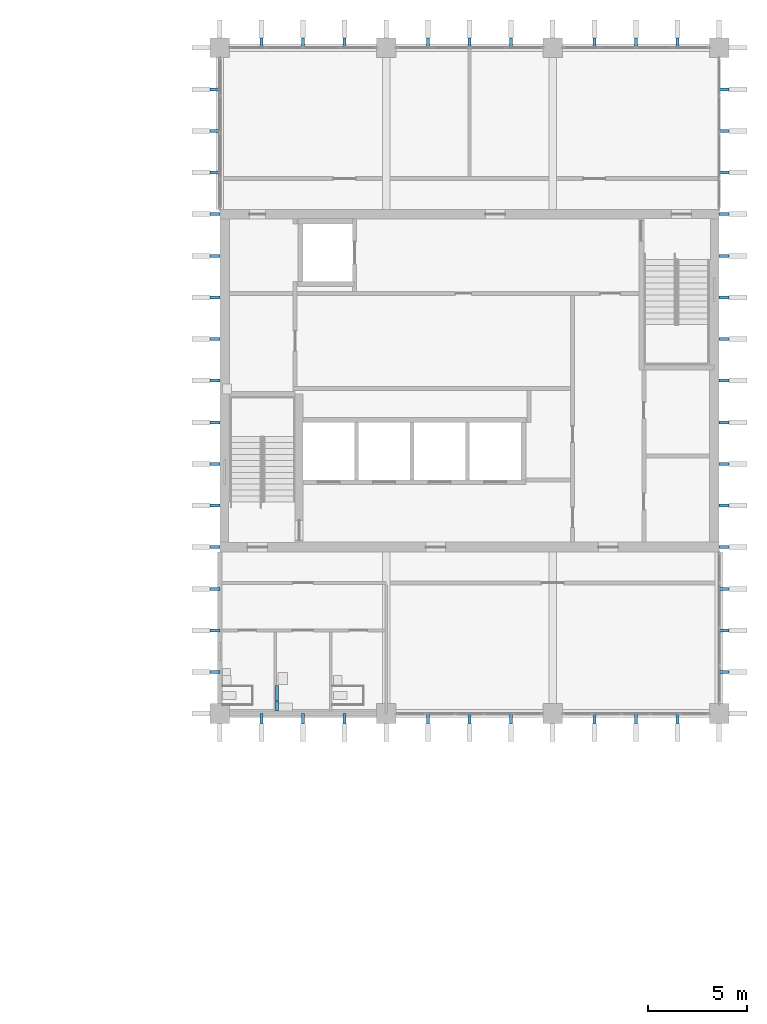
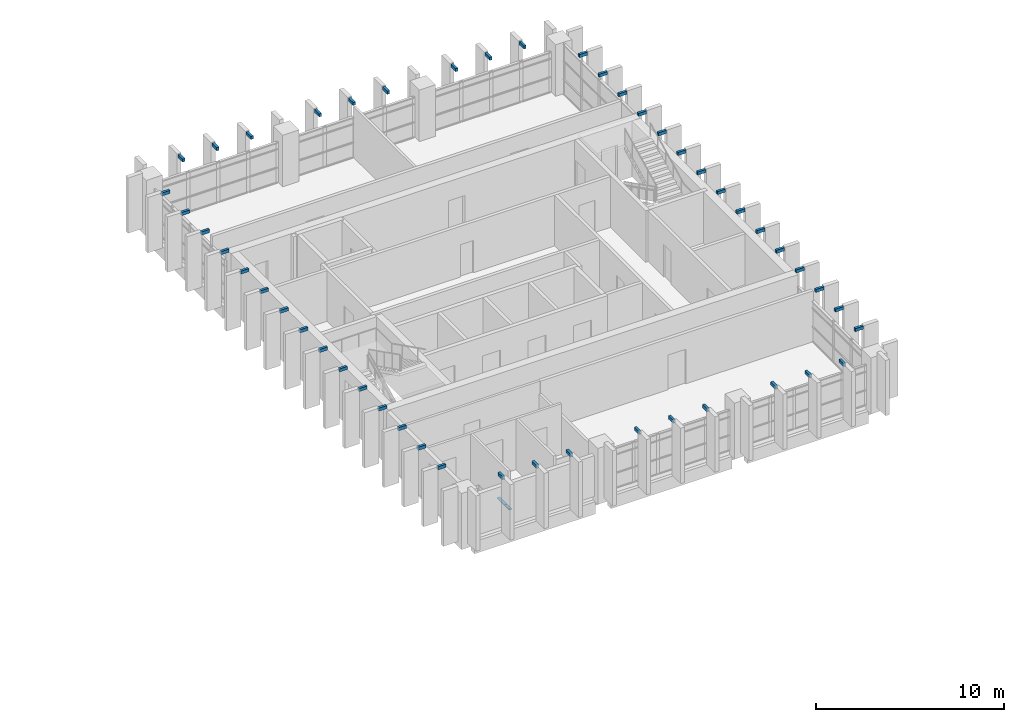
# One storey, part 20 of 24: 50 discrete accessories.
"""IFC4 building model written with IfcOpenShell, lengths in metres."""

from ifc_helpers import new_model, si_unit, direction, frame, origin, origin_2d, place, context, subcontext, project, spatial, rectangle, extrude, material, type_object, element, save


model = new_model("IFC4")

# Units and contexts
model_context = context("Model", 3, precision=1e-05, world=origin(), true_north=direction((0.0, 1.0)))
body_context = subcontext(model_context, "Body", "Model", "MODEL_VIEW")
ifc_project = project(units=[si_unit("LENGTHUNIT", "METRE"), si_unit("AREAUNIT", "SQUARE_METRE"), si_unit("VOLUMEUNIT", "CUBIC_METRE"), si_unit("PLANEANGLEUNIT", "RADIAN"), si_unit("MASSUNIT", "GRAM", prefix="KILO")], contexts=[model_context])

# Site, building, storey
site_placement = place(None, origin())
site = spatial("IfcSite", under=ifc_project, at=site_placement, CompositionType="ELEMENT")
building_placement = place(site_placement, origin())
building = spatial("IfcBuilding", under=site, at=building_placement, Name="Rulbaag Community and Learning Centre", CompositionType="ELEMENT")
storey_placement = place(building_placement, frame((0.0, 0.0, 14.39990234375)))
storey = spatial("IfcBuildingStorey", under=building, at=storey_placement, Name="L03", CompositionType="ELEMENT", Elevation=14.39990234375)

# Discrete accessories
ifc_material_1 = material(Name="Steel E350", Category="steel")
discrete_accessory_type_1 = type_object("IfcDiscreteAccessoryType", Name="BR-FN", PredefinedType="BRACKET", material=ifc_material_1)
for number, where, z_axis, x_axis, name in (
    (1, (144.89990234375, 83.75, 3.35009765625), (0.0, 0.0, 1.0), (1.0, 0.0, 0.0), "Fin arm"),
    (2, (147.0, 83.75, 3.35009765625), (0.0, 0.0, 1.0), (1.0, 0.0, 0.0), "Fin arm"),
    (3, (149.10009765625, 83.75, 3.35009765625), (0.0, 0.0, 1.0), (1.0, 0.0, 0.0), "Fin arm"),
    (4, (153.300048828125, 83.75, 3.35009765625), (0.0, 0.0, 1.0), (1.0, 0.0, 0.0), "Fin arm"),
    (5, (155.39990234375, 83.75, 3.35009765625), (0.0, 0.0, 1.0), (1.0, 0.0, 0.0), "Fin arm"),
    (6, (157.5, 83.75, 3.35009765625), (0.0, 0.0, 1.0), (1.0, 0.0, 0.0), "Fin arm"),
    (7, (161.699951171875, 83.75, 3.35009765625), (0.0, 0.0, 1.0), (1.0, 0.0, 0.0), "Fin arm"),
    (8, (163.800048828125, 83.75, 3.35009765625), (0.0, 0.0, 1.0), (1.0, 0.0, 0.0), "Fin arm"),
    (9, (165.89990234375, 83.75, 3.35009765625), (0.0, 0.0, 1.0), (1.0, 0.0, 0.0), "Fin arm"),
    (10, (144.89990234375, 117.85009765625, 3.35009765625), (0.0, 0.0, 1.0), (1.0, 0.0, 0.0), "Fin arm"),
    (11, (147.0, 117.85009765625, 3.35009765625), (0.0, 0.0, 1.0), (1.0, 0.0, 0.0), "Fin arm"),
    (12, (149.10009765625, 117.85009765625, 3.35009765625), (0.0, 0.0, 1.0), (1.0, 0.0, 0.0), "Fin arm"),
    (13, (153.300048828125, 117.85009765625, 3.35009765625), (0.0, 0.0, 1.0), (1.0, 0.0, 0.0), "Fin arm"),
    (14, (155.39990234375, 117.85009765625, 3.35009765625), (0.0, 0.0, 1.0), (1.0, 0.0, 0.0), "Fin arm"),
    (15, (157.5, 117.85009765625, 3.35009765625), (0.0, 0.0, 1.0), (1.0, 0.0, 0.0), "Fin arm"),
    (16, (161.699951171875, 117.85009765625, 3.35009765625), (0.0, 0.0, 1.0), (1.0, 0.0, 0.0), "Fin arm"),
    (17, (163.800048828125, 117.85009765625, 3.35009765625), (0.0, 0.0, 1.0), (1.0, 0.0, 0.0), "Fin arm"),
    (18, (165.89990234375, 117.85009765625, 3.35009765625), (0.0, 0.0, 1.0), (1.0, 0.0, 0.0), "Fin arm"),
):
    element("IfcDiscreteAccessory", number, at=place(storey_placement, frame(where, z_axis=z_axis, x_axis=x_axis)), inside=storey, type_object=discrete_accessory_type_1, Name=name, PredefinedType="BRACKET", context=body_context, shape_type="SweptSolid", body=[
        extrude(rectangle(XDim=0.14990234375, YDim=0.5, at=origin_2d()), origin(), (0.0, 0.0, 1.0), 0.199951171875),
    ])
for number, where, z_axis, x_axis, name in (
    (19, (142.550048828125, 86.10009765625, 3.35009765625), (0.0, 0.0, 1.0), (1.0, 0.0, 0.0), "Fin arm"),
    (20, (142.550048828125, 88.199951171875, 3.35009765625), (0.0, 0.0, 1.0), (1.0, 0.0, 0.0), "Fin arm"),
    (21, (142.550048828125, 90.300048828125, 3.35009765625), (0.0, 0.0, 1.0), (1.0, 0.0, 0.0), "Fin arm"),
    (22, (142.550048828125, 92.39990234375, 3.35009765625), (0.0, 0.0, 1.0), (1.0, 0.0, 0.0), "Fin arm"),
    (23, (142.550048828125, 94.5, 3.35009765625), (0.0, 0.0, 1.0), (1.0, 0.0, 0.0), "Fin arm"),
    (24, (142.550048828125, 96.60009765625, 3.35009765625), (0.0, 0.0, 1.0), (1.0, 0.0, 0.0), "Fin arm"),
    (25, (142.550048828125, 98.699951171875, 3.35009765625), (0.0, 0.0, 1.0), (1.0, 0.0, 0.0), "Fin arm"),
    (26, (142.550048828125, 100.800048828125, 3.35009765625), (0.0, 0.0, 1.0), (1.0, 0.0, 0.0), "Fin arm"),
    (27, (142.550048828125, 102.89990234375, 3.35009765625), (0.0, 0.0, 1.0), (1.0, 0.0, 0.0), "Fin arm"),
    (28, (142.550048828125, 105.0, 3.35009765625), (0.0, 0.0, 1.0), (1.0, 0.0, 0.0), "Fin arm"),
    (29, (142.550048828125, 107.10009765625, 3.35009765625), (0.0, 0.0, 1.0), (1.0, 0.0, 0.0), "Fin arm"),
    (30, (142.550048828125, 109.199951171875, 3.35009765625), (0.0, 0.0, 1.0), (1.0, 0.0, 0.0), "Fin arm"),
    (31, (142.550048828125, 111.300048828125, 3.35009765625), (0.0, 0.0, 1.0), (1.0, 0.0, 0.0), "Fin arm"),
    (32, (142.550048828125, 113.39990234375, 3.35009765625), (0.0, 0.0, 1.0), (1.0, 0.0, 0.0), "Fin arm"),
    (33, (142.550048828125, 115.5, 3.35009765625), (0.0, 0.0, 1.0), (1.0, 0.0, 0.0), "Fin arm"),
    (34, (168.25, 86.10009765625, 3.35009765625), (0.0, 0.0, 1.0), (1.0, 0.0, 0.0), "Fin arm"),
    (35, (168.25, 88.199951171875, 3.35009765625), (0.0, 0.0, 1.0), (1.0, 0.0, 0.0), "Fin arm"),
    (36, (168.25, 90.300048828125, 3.35009765625), (0.0, 0.0, 1.0), (1.0, 0.0, 0.0), "Fin arm"),
    (37, (168.25, 92.39990234375, 3.35009765625), (0.0, 0.0, 1.0), (1.0, 0.0, 0.0), "Fin arm"),
    (38, (168.25, 94.5, 3.35009765625), (0.0, 0.0, 1.0), (1.0, 0.0, 0.0), "Fin arm"),
    (39, (168.25, 96.60009765625, 3.35009765625), (0.0, 0.0, 1.0), (1.0, 0.0, 0.0), "Fin arm"),
    (40, (168.25, 98.699951171875, 3.35009765625), (0.0, 0.0, 1.0), (1.0, 0.0, 0.0), "Fin arm"),
    (41, (168.25, 100.800048828125, 3.35009765625), (0.0, 0.0, 1.0), (1.0, 0.0, 0.0), "Fin arm"),
    (42, (168.25, 102.89990234375, 3.35009765625), (0.0, 0.0, 1.0), (1.0, 0.0, 0.0), "Fin arm"),
    (43, (168.25, 105.0, 3.35009765625), (0.0, 0.0, 1.0), (1.0, 0.0, 0.0), "Fin arm"),
    (44, (168.25, 107.10009765625, 3.35009765625), (0.0, 0.0, 1.0), (1.0, 0.0, 0.0), "Fin arm"),
    (45, (168.25, 109.199951171875, 3.35009765625), (0.0, 0.0, 1.0), (1.0, 0.0, 0.0), "Fin arm"),
    (46, (168.25, 111.300048828125, 3.35009765625), (0.0, 0.0, 1.0), (1.0, 0.0, 0.0), "Fin arm"),
    (47, (168.25, 113.39990234375, 3.35009765625), (0.0, 0.0, 1.0), (1.0, 0.0, 0.0), "Fin arm"),
    (48, (168.25, 115.5, 3.35009765625), (0.0, 0.0, 1.0), (1.0, 0.0, 0.0), "Fin arm"),
):
    element("IfcDiscreteAccessory", number, at=place(storey_placement, frame(where, z_axis=z_axis, x_axis=x_axis)), inside=storey, type_object=discrete_accessory_type_1, Name=name, PredefinedType="BRACKET", context=body_context, shape_type="SweptSolid", body=[
        extrude(rectangle(XDim=0.5, YDim=0.14990234375, at=origin_2d()), origin(), (0.0, 0.0, 1.0), 0.199951171875),
    ])
ifc_material_2 = material(Name="Stainless steel grade 316", Category="steel")
discrete_accessory_type_2 = type_object("IfcDiscreteAccessoryType", Name="GR-800", PredefinedType="USERDEFINED", material=ifc_material_2)
for number, where, z_axis, x_axis, name in (
    (49, (145.68505859375, 84.530029296875, 0.72998046875), (0.0, 0.0, 1.0), (1.0, 0.0, 0.0), "Grab rail"),
    (50, (145.68505859375, 85.030029296875, 0.72998046875), (0.0, 0.0, 1.0), (1.0, 0.0, 0.0), "Grab rail"),
):
    element("IfcDiscreteAccessory", number, at=place(storey_placement, frame(where, z_axis=z_axis, x_axis=x_axis)), inside=storey, type_object=discrete_accessory_type_2, Name=name, ObjectType="GRAB RAIL", PredefinedType="USERDEFINED", context=body_context, shape_type="SweptSolid", body=[
        extrude(rectangle(XDim=0.169921875, YDim=0.800048828125, at=origin_2d()), origin(), (0.0, 0.0, 1.0), 0.0400390625),
    ])

save(model, "model.ifc")
